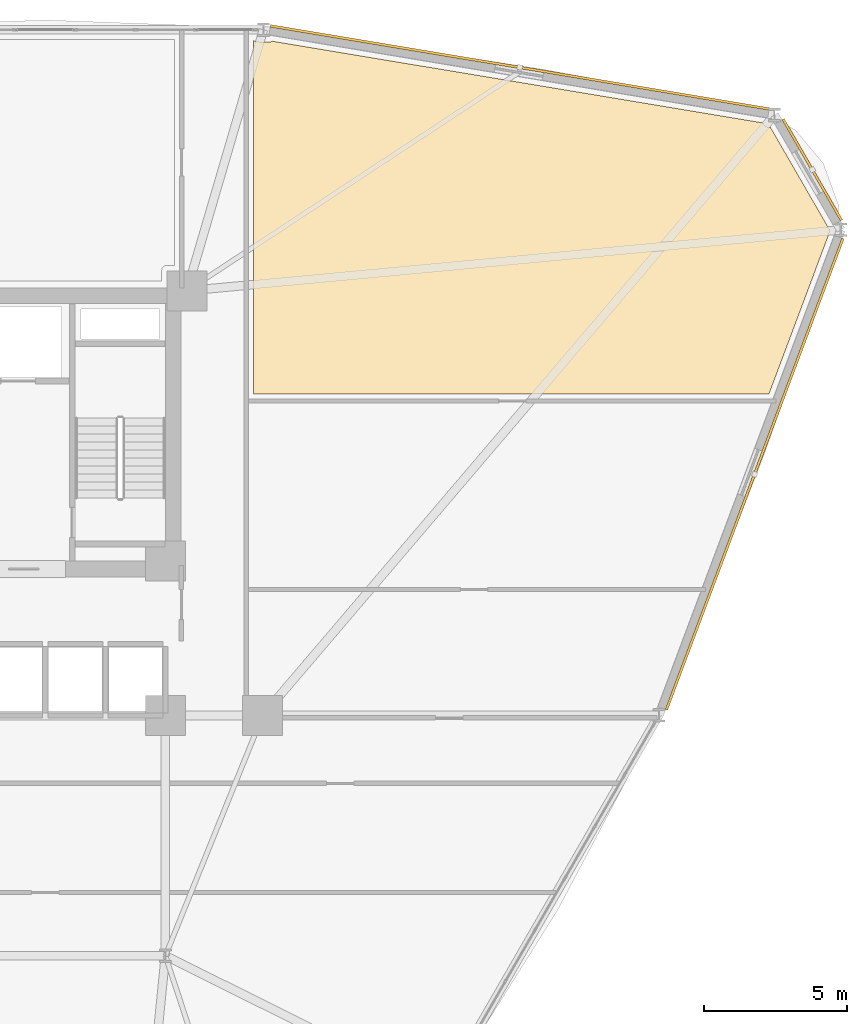
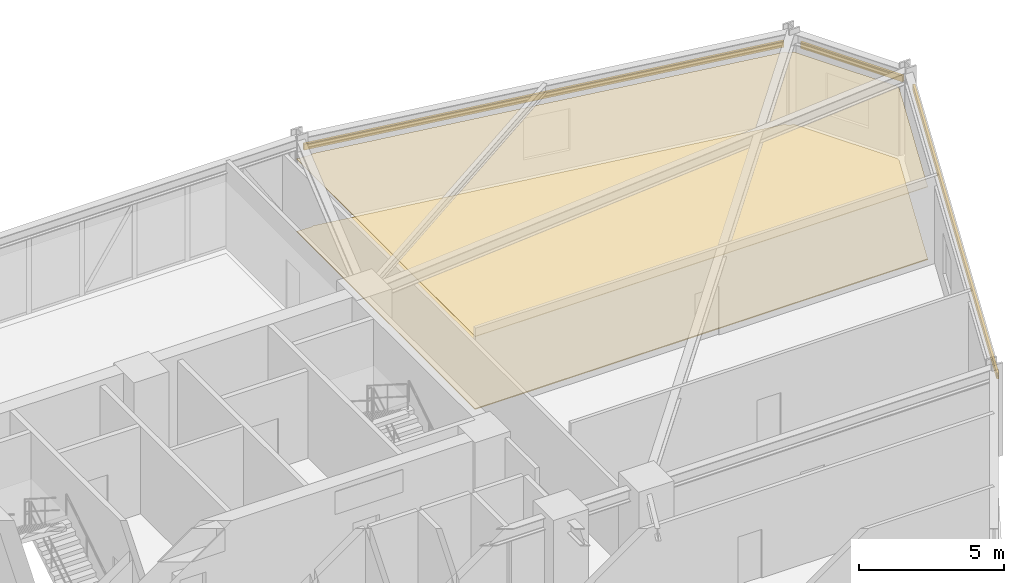
# One storey, part 20 of 20: 3 shading devices, 2 coverings.
"""IFC4 building model written with IfcOpenShell, lengths in metres."""

from ifc_helpers import new_model, si_unit, derived_unit, direction, frame, origin, origin_2d, place, context, subcontext, project, spatial, polyline, hollow_rectangle, outline, extrude, source, transform, mapped, material, layer, layer_set, material_profile, profile_set, type_object, element, save


model = new_model("IFC4")

# Units and contexts
model_context = context("Model", 3, precision=1e-05, world=origin(), true_north=direction((0.0, 1.0)))
body_context = subcontext(model_context, "Body", "Model", "MODEL_VIEW")
ifc_project = project(units=[si_unit("LENGTHUNIT", "METRE"), si_unit("AREAUNIT", "SQUARE_METRE"), si_unit("VOLUMEUNIT", "CUBIC_METRE"), si_unit("PLANEANGLEUNIT", "RADIAN"), si_unit("MASSUNIT", "GRAM", prefix="KILO"), derived_unit("THERMALTRANSMITTANCEUNIT", [(si_unit("POWERUNIT", "WATT"), 1), (si_unit("LENGTHUNIT", "METRE"), -2), (si_unit("THERMODYNAMICTEMPERATUREUNIT", "KELVIN"), -1)])], contexts=[model_context])

# Site, building, storey
site_placement = place(None, origin())
site = spatial("IfcSite", under=ifc_project, at=site_placement, CompositionType="ELEMENT")
building_placement = place(site_placement, origin())
building = spatial("IfcBuilding", under=site, at=building_placement, Name="Korsvarv Bourse and Concert Hall", CompositionType="ELEMENT")
storey_placement = place(building_placement, frame((0.0, 0.0, 67.800048828125)))
storey = spatial("IfcBuildingStorey", under=building, at=storey_placement, Name="L16", CompositionType="ELEMENT", Elevation=67.800048828125)

# Coverings
ifc_material_1 = material(Name="Perforated mineral-wool and birch acoustic baffle ceiling", Category="wood")
ifc_layer_1 = layer(ifc_material_1, 0.02490234375)
ifc_layer_set_1 = layer_set([ifc_layer_1], Name="Perforated mineral-wool and birch acoustic baffle ceiling")
covering_type_1 = type_object("IfcCoveringType", Name="COV-CEIL-1", PredefinedType="CEILING", material=ifc_layer_set_1)
covering_1_placement = place(storey_placement, frame((0.0, 0.0, 3.06005859375)))
element("IfcCovering", 1, at=covering_1_placement, inside=storey, type_object=covering_type_1, Name="L16 acoustic baffle ceiling 1", PredefinedType="CEILING", context=body_context, shape_type="SweptSolid", body=[
    extrude(outline(polyline([(47.48876953125, 56.002197265625), (47.517333984375, 55.982421875), (47.54931640625, 55.968505859375), (47.583251953125, 55.961181640625), (48.03466796875, 55.94970703125), (48.070068359375, 55.95263671875), (48.1044921875, 55.962158203125), (48.135986328125, 55.978515625), (65.30078125, 53.120361328125), (65.310302734375, 53.091064453125), (65.327880859375, 53.059326171875), (65.351318359375, 53.03173828125), (65.3798828125, 53.009521484375), (65.41259765625, 52.993408203125), (65.447509765625, 52.98388671875), (65.54833984375, 52.9775390625), (67.614501953125, 49.3984375), (67.614501953125, 49.2783203125), (65.505859375, 43.64990234375), (47.47998046875, 43.64990234375), (47.48876953125, 56.002197265625)])), origin(), (0.0, 0.0, 1.0), 0.02490234375),
])
ifc_material_2 = material(Name="Calcium-sulphate raised access trading floor with Nordic oak top", Category="wood")
ifc_layer_2 = layer(ifc_material_2, 0.0400390625)
ifc_layer_set_2 = layer_set([ifc_layer_2], Name="Calcium-sulphate raised access trading floor with Nordic oak top")
covering_type_2 = type_object("IfcCoveringType", Name="COV-FLOR-1", PredefinedType="FLOORING", material=ifc_layer_set_2)
covering_2_placement = place(storey_placement, origin())
element("IfcCovering", 2, at=covering_2_placement, inside=storey, type_object=covering_type_2, Name="L16 raised access oak floor finish 1", PredefinedType="FLOORING", context=body_context, shape_type="SweptSolid", body=[
    extrude(outline(polyline([(47.48876953125, 56.002197265625), (47.517333984375, 55.982421875), (47.54931640625, 55.968505859375), (47.583251953125, 55.961181640625), (48.03466796875, 55.94970703125), (48.070068359375, 55.95263671875), (48.1044921875, 55.962158203125), (48.135986328125, 55.978515625), (65.30078125, 53.120361328125), (65.310302734375, 53.091064453125), (65.327880859375, 53.059326171875), (65.351318359375, 53.03173828125), (65.3798828125, 53.009521484375), (65.41259765625, 52.993408203125), (65.447509765625, 52.98388671875), (65.54833984375, 52.9775390625), (67.614501953125, 49.3984375), (67.614501953125, 49.2783203125), (65.505859375, 43.64990234375), (47.47998046875, 43.64990234375), (47.48876953125, 56.002197265625)])), origin(), (0.0, 0.0, 1.0), 0.0400390625),
])

# Shading devices
ifc_material_3 = material(Name="Glazed extruded architectural terracotta", Category="ceramic")
ifc_material_profile = material_profile(ifc_material_3, hollow_rectangle(XDim=0.090087890625, YDim=0.260009765625, WallThickness=0.011962890625, at=origin_2d()), Name="TC-BAG 90x260")
ifc_profile_set = profile_set([ifc_material_profile], Name="Glazed extruded architectural terracotta")
shading_device_type = type_object("IfcShadingDeviceType", Name="SHD-BAG-1", PredefinedType="USERDEFINED", material=ifc_profile_set)
shared_shape_1 = source(origin(), body_context, "Body", "SweptSolid", [
    extrude(hollow_rectangle(XDim=0.090087890625, YDim=0.260009765625, WallThickness=0.011962890625, at=origin_2d()), origin(), (0.0, 0.0, 1.0), 4.0791015625),
])
shading_device_1_placement = place(storey_placement, frame((68.037109375, 49.716796875, 3.070068359375), z_axis=(-0.500014317814, 0.866017137233, 0.0), x_axis=(-0.866017137233, -0.500014317814, 0.0)))
element("IfcShadingDevice", 3, at=shading_device_1_placement, inside=storey, type_object=shading_device_type, Name="L16 terracotta baguette sunshade EW-L16-B01", ObjectType="BAGUETTE", PredefinedType="USERDEFINED", context=body_context, shape_type="MappedRepresentation", body=[
    mapped(shared_shape_1, transform((0.0, 0.0, 0.0), scale=1.0)),
])
shared_shape_2 = source(origin(), body_context, "Body", "SweptSolid", [
    extrude(hollow_rectangle(XDim=0.090087890625, YDim=0.260009765625, WallThickness=0.011962890625, at=origin_2d()), origin(), (0.0, 0.0, 1.0), 17.677490234375),
])
shading_device_2_placement = place(storey_placement, frame((65.509521484375, 53.607666015625, 3.070068359375), z_axis=(-0.986399895449, 0.16436315359, 0.0), x_axis=(-0.16436315359, -0.986399895449, 0.0)))
element("IfcShadingDevice", 4, at=shading_device_2_placement, inside=storey, type_object=shading_device_type, Name="L16 terracotta baguette sunshade EW-L16-B02", ObjectType="BAGUETTE", PredefinedType="USERDEFINED", context=body_context, shape_type="MappedRepresentation", body=[
    mapped(shared_shape_2, transform((0.0, 0.0, 0.0), scale=1.0)),
])
shared_shape_3 = source(origin(), body_context, "Body", "SweptSolid", [
    extrude(hollow_rectangle(XDim=0.090087890625, YDim=0.260009765625, WallThickness=0.011962890625, at=origin_2d()), origin(), (0.0, 0.0, 1.0), 17.6005859375),
])
shading_device_3_placement = place(storey_placement, frame((61.914794921875, 32.59716796875, 3.070068359375), z_axis=(0.350845241249, 0.93643345556, 0.0), x_axis=(-0.93643345556, 0.350845241249, 0.0)))
element("IfcShadingDevice", 5, at=shading_device_3_placement, inside=storey, type_object=shading_device_type, Name="L16 terracotta baguette sunshade EW-L16-B12", ObjectType="BAGUETTE", PredefinedType="USERDEFINED", context=body_context, shape_type="MappedRepresentation", body=[
    mapped(shared_shape_3, transform((0.0, 0.0, 0.0), scale=1.0)),
])

save(model, "model.ifc")
